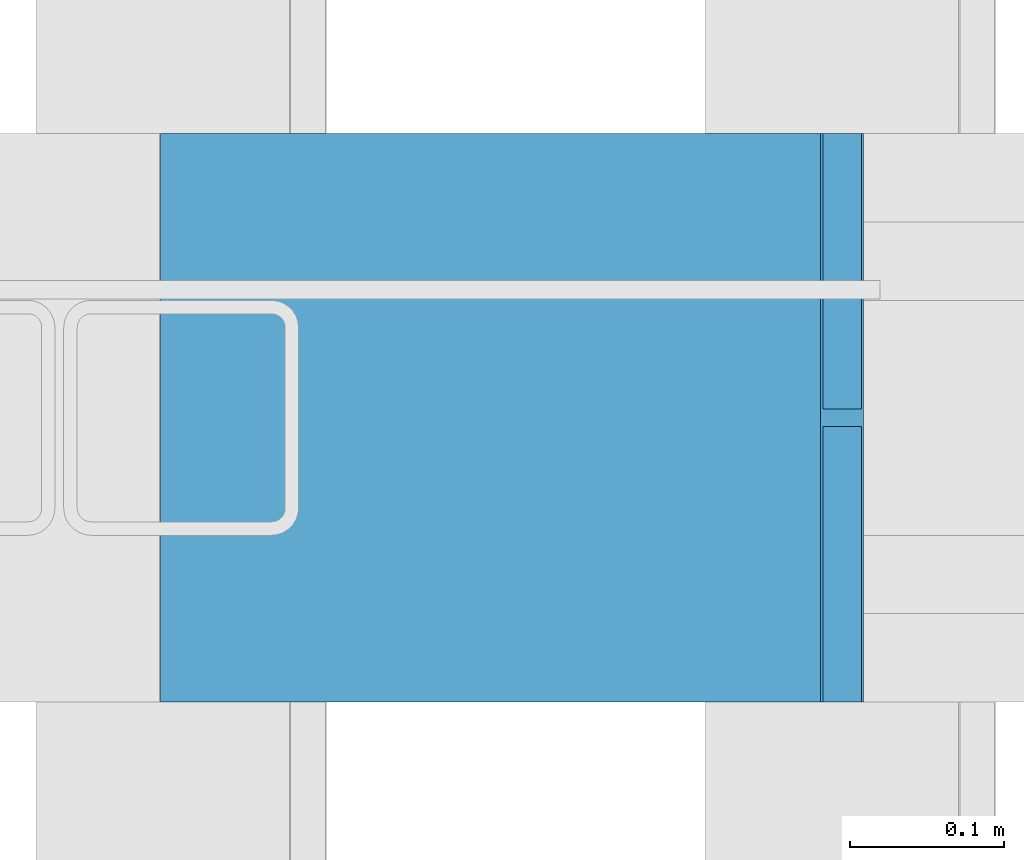
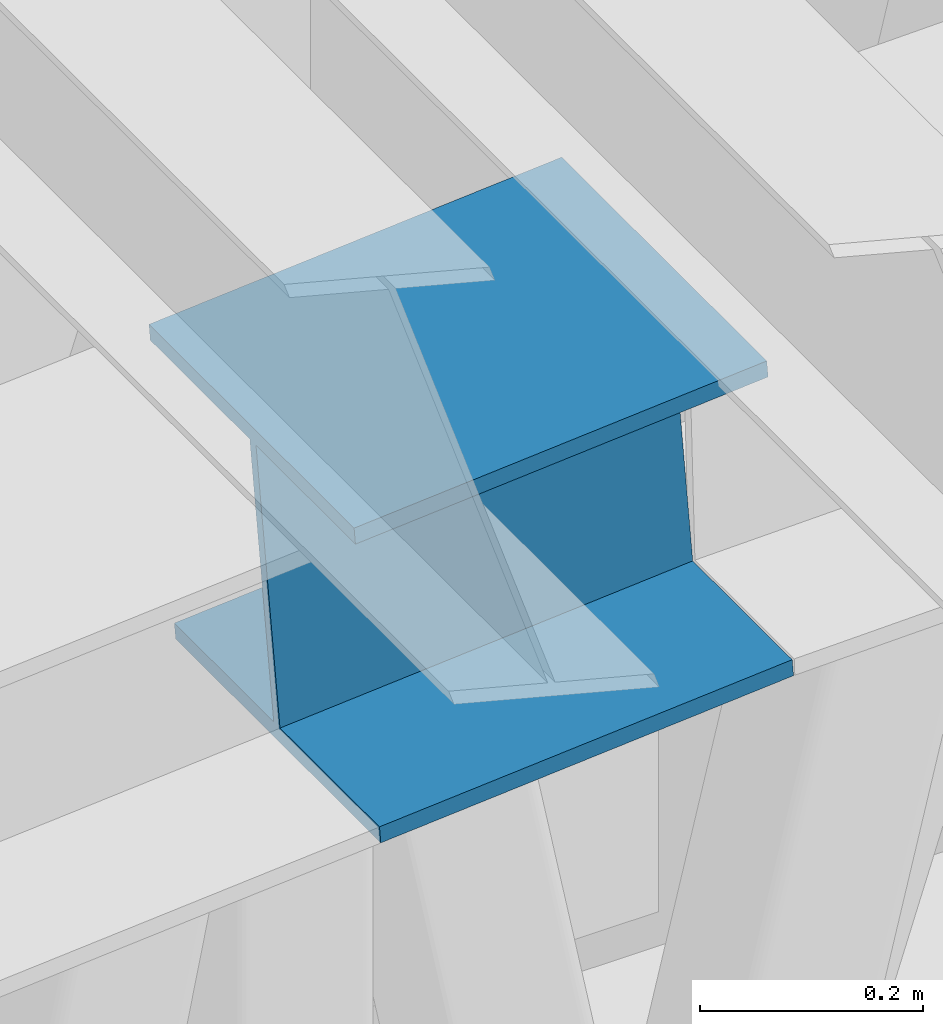
# One storey, part 44 of 105: 1 member.
"""IFC4 building model written with IfcOpenShell, lengths in metres."""

from ifc_helpers import new_model, si_unit, direction, frame, origin, origin_2d, place, context, subcontext, project, spatial, i_section, extrude, material, material_profile, profile_set, type_object, element, save


model = new_model("IFC4")

# Units and contexts
model_context = context("Model", 3, precision=1e-05, world=origin(), true_north=direction((0.0, 1.0)))
body_context = subcontext(model_context, "Body", "Model", "MODEL_VIEW")
ifc_project = project(units=[si_unit("LENGTHUNIT", "METRE"), si_unit("AREAUNIT", "SQUARE_METRE"), si_unit("VOLUMEUNIT", "CUBIC_METRE"), si_unit("PLANEANGLEUNIT", "RADIAN"), si_unit("MASSUNIT", "GRAM", prefix="KILO")], contexts=[model_context])

# Site, building, storey
site_placement = place(None, origin())
site = spatial("IfcSite", under=ifc_project, at=site_placement, CompositionType="ELEMENT")
building_placement = place(site_placement, origin())
building = spatial("IfcBuilding", under=site, at=building_placement, Name="Wasatch Bagh Community Centre", CompositionType="ELEMENT")
storey_placement = place(building_placement, frame((0.0, 0.0, 16.800048828125)))
storey = spatial("IfcBuildingStorey", under=building, at=storey_placement, Name="L04", CompositionType="ELEMENT", Elevation=16.800048828125)

# Member
ifc_material = material(Name="ASTM A992 Grade 50 steel", Category="steel")
ifc_material_profile = material_profile(ifc_material, i_section(OverallWidth=0.368408203125, OverallDepth=0.355712890625, WebThickness=0.01123046875, FlangeThickness=0.01806640625, at=origin_2d()), Name="W14x90")
ifc_profile_set = profile_set([ifc_material_profile], Name="ASTM A992 Grade 50 steel")
member_type = type_object("IfcMemberType", Name="W14x90 chord", PredefinedType="CHORD", material=ifc_profile_set)
member_placement = place(storey_placement, frame((43.132568359375, 18.761962890625, 17.918701171875), z_axis=(0.99696007093, 0.0, 0.077914164129), x_axis=(0.0, 1.0, 0.0)))
element("IfcMember", 1, at=member_placement, inside=storey, type_object=member_type, Name="MH.TS4.TC10", PredefinedType="CHORD", context=body_context, shape_type="SweptSolid", body=[
    extrude(i_section(OverallWidth=0.368408203125, OverallDepth=0.355712890625, WebThickness=0.01123046875, FlangeThickness=0.01806640625, at=origin_2d()), origin(), (0.0, 0.0, 1.0), 0.42919921875),
])

save(model, "model.ifc")
